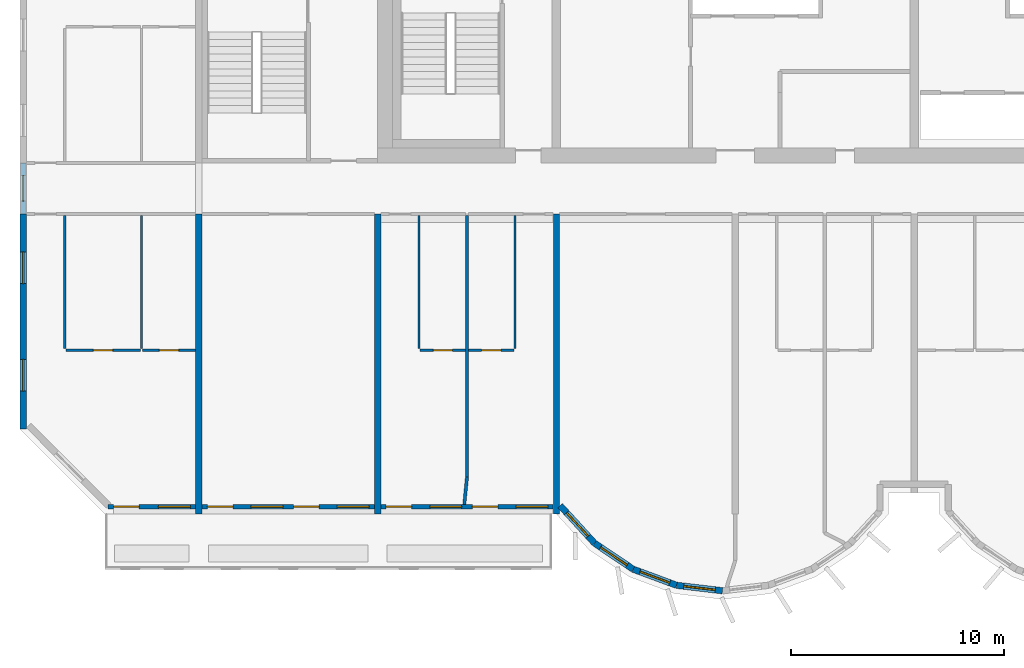
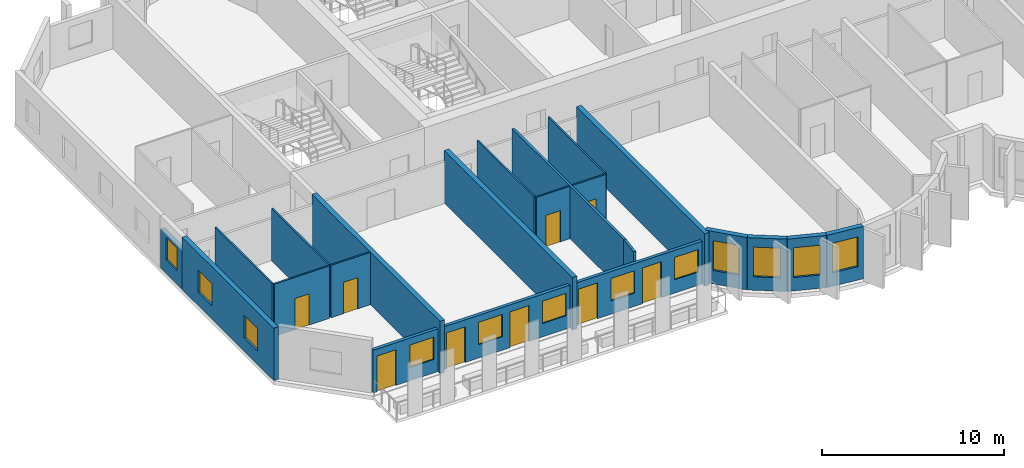
# One storey, part 2 of 13: 22 walls, 12 windows, 9 doors, 21 openings.
"""IFC4 building model written with IfcOpenShell, lengths in metres."""

from ifc_helpers import new_model, si_unit, direction, frame, frame_2d, origin, place, context, subcontext, project, spatial, rectangle, extrude, source, transform, mapped, material, layer, layer_set, type_object, element, fill, save


model = new_model("IFC4")

# Units and contexts
model_context = context("Model", 3, precision=1e-05, world=origin(), true_north=direction((0.0, 1.0)))
body_context = subcontext(model_context, "Body", "Model", "MODEL_VIEW")
ifc_project = project(units=[si_unit("LENGTHUNIT", "METRE"), si_unit("AREAUNIT", "SQUARE_METRE"), si_unit("VOLUMEUNIT", "CUBIC_METRE"), si_unit("PLANEANGLEUNIT", "RADIAN"), si_unit("MASSUNIT", "GRAM", prefix="KILO")], contexts=[model_context])

# Site, building, storey
site_placement = place(None, origin())
site = spatial("IfcSite", under=ifc_project, at=site_placement, CompositionType="ELEMENT")
building_placement = place(site_placement, origin())
building = spatial("IfcBuilding", under=site, at=building_placement, Name="Vanashikhar Sky Hotel", CompositionType="ELEMENT")
storey_placement = place(building_placement, frame((0.0, 0.0, 151.60009765625)))
storey = spatial("IfcBuildingStorey", under=building, at=storey_placement, Name="L36", CompositionType="ELEMENT", Elevation=151.60009765625)

# Wall, openings, windows
ifc_material_1 = material(Name="Concrete M60", Category="concrete")
ifc_layer_1 = layer(ifc_material_1, 0.300048828125)
ifc_layer_set_1 = layer_set([ifc_layer_1], Name="RC shear wall 300 Concrete M60")
wall_type_1 = type_object("IfcWallType", Name="RC shear wall 300 Concrete M60", PredefinedType="SHEAR", material=ifc_layer_set_1)
shared_shape_1 = source(origin(), body_context, "Body", "SweptSolid", [
    extrude(rectangle(XDim=10.10009765625, YDim=0.300048828125, at=frame_2d((5.050048828125, 0.0))), origin(), (0.0, 0.0, 1.0), 3.52001953125),
])
wall_1_placement = place(storey_placement, frame((8.550048828125, 9.5, 0.0), z_axis=(0.0, 0.0, 1.0), x_axis=(0.0, 1.0, 0.0)))
wall_1 = element("IfcWall", 1, at=wall_1_placement, inside=storey, type_object=wall_type_1, Name="CW-L36-XW02-1", PredefinedType="SHEAR", context=body_context, shape_type="MappedRepresentation", body=[
    mapped(shared_shape_1, transform((0.0, 0.0, 0.0), scale=1.0)),
])
shared_shape_2 = source(origin(), body_context, "Body", "SweptSolid", [
    extrude(rectangle(XDim=1.5, YDim=1.5, at=frame_2d((0.75, 0.75))), frame((0.0, 0.16015625, 0.0), z_axis=(0.0, -1.0, 0.0), x_axis=(1.0, 0.0, 0.0)), (0.0, 0.0, 1.0), 0.320068359375),
])
opening_1_placement = place(wall_1_placement, frame((1.77490234375, 0.0, 0.89990234375)))
opening_1 = element("IfcOpeningElement", 2, at=opening_1_placement, cuts=wall_1, Name="Opening WN-1", PredefinedType="OPENING", context=body_context, shape_type="MappedRepresentation", body=[
    mapped(shared_shape_2, transform((0.0, 0.0, 0.0), scale=1.0)),
])
opening_2_placement = place(wall_1_placement, frame((6.824951171875, 0.0, 0.89990234375)))
opening_2 = element("IfcOpeningElement", 3, at=opening_2_placement, cuts=wall_1, Name="Opening WN-1", PredefinedType="OPENING", context=body_context, shape_type="MappedRepresentation", body=[
    mapped(shared_shape_2, transform((0.0, 0.0, 0.0), scale=1.0)),
])
ifc_material_2 = material(Name="Glass", Category="glass")
window_type_1 = type_object("IfcWindowType", Name="Window 1500 x 1500", PartitioningType="SINGLE_PANEL", PredefinedType="WINDOW", material=ifc_material_2)
shared_shape_3 = source(origin(), body_context, "Body", "SweptSolid", [
    extrude(rectangle(XDim=1.5, YDim=1.5, at=frame_2d((0.75, 0.75))), frame((0.0, 0.030029296875, 0.0), z_axis=(0.0, -1.0, 0.0), x_axis=(1.0, 0.0, 0.0)), (0.0, 0.0, 1.0), 0.06005859375),
])
window_1_placement = place(opening_1_placement, origin())
window_1 = element("IfcWindow", 4, at=window_1_placement, inside=storey, type_object=window_type_1, Name="Window WN-1", OverallHeight=1.5, OverallWidth=1.5, PartitioningType="SINGLE_PANEL", PredefinedType="WINDOW", context=body_context, shape_type="MappedRepresentation", body=[
    mapped(shared_shape_3, transform((0.0, 0.0, 0.0), scale=1.0)),
])
fill(opening_1, window_1)
window_2_placement = place(opening_2_placement, origin())
window_2 = element("IfcWindow", 5, at=window_2_placement, inside=storey, type_object=window_type_1, Name="Window WN-1", OverallHeight=1.5, OverallWidth=1.5, PartitioningType="SINGLE_PANEL", PredefinedType="WINDOW", context=body_context, shape_type="MappedRepresentation", body=[
    mapped(shared_shape_3, transform((0.0, 0.0, 0.0), scale=1.0)),
])
fill(opening_2, window_2)

# Walls
shared_shape_4 = source(origin(), body_context, "Body", "SweptSolid", [
    extrude(rectangle(XDim=14.10009765625, YDim=0.300048828125, at=frame_2d((7.050048828125, 0.0))), origin(), (0.0, 0.0, 1.0), 3.52001953125),
])
for number, where, z_axis, x_axis, name in (
    (6, (16.800048828125, 5.5, 0.0), (0.0, 0.0, 1.0), (0.0, 1.0, 0.0), "CW-L36-XW03-1"),
    (7, (25.199951171875, 5.5, 0.0), (0.0, 0.0, 1.0), (0.0, 1.0, 0.0), "CW-L36-XW04-1"),
    (8, (33.60009765625, 5.5, 0.0), (0.0, 0.0, 1.0), (0.0, 1.0, 0.0), "CW-L36-XW05-1"),
):
    element("IfcWall", number, at=place(storey_placement, frame(where, z_axis=z_axis, x_axis=x_axis)), inside=storey, type_object=wall_type_1, Name=name, PredefinedType="SHEAR", context=body_context, shape_type="MappedRepresentation", body=[
        mapped(shared_shape_4, transform((0.0, 0.0, 0.0), scale=1.0)),
    ])

# Wall, opening, window
ifc_material_3 = material(Name="Concrete M50", Category="concrete")
ifc_layer_2 = layer(ifc_material_3, 0.300048828125)
ifc_layer_set_2 = layer_set([ifc_layer_2], Name="Lobe wall 300")
wall_type_2 = type_object("IfcWallType", Name="Lobe wall 300", PredefinedType="SOLIDWALL", material=ifc_layer_set_2)
shared_shape_5 = source(origin(), body_context, "Body", "SweptSolid", [
    extrude(rectangle(XDim=2.398193359375, YDim=0.300048828125, at=frame_2d((1.19921875, 0.0))), origin(), (0.0, 0.0, 1.0), 3.52001953125),
])
wall_2_placement = place(storey_placement, frame((33.776123046875, 5.89990234375, 0.0), z_axis=(0.0, 0.0, 1.0), x_axis=(0.675374189419, -0.737475222815, 0.0)))
wall_2 = element("IfcWall", 9, at=wall_2_placement, inside=storey, type_object=wall_type_2, Name="Lobe wall", PredefinedType="SOLIDWALL", context=body_context, shape_type="MappedRepresentation", body=[
    mapped(shared_shape_5, transform((0.0, 0.0, 0.0), scale=1.0)),
])
shared_shape_6 = source(origin(), body_context, "Body", "SweptSolid", [
    extrude(rectangle(XDim=1.5, YDim=2.0, at=frame_2d((0.75, 1.0))), frame((0.0, 0.16015625, 0.0), z_axis=(0.0, -1.0, 0.0), x_axis=(1.0, 0.0, 0.0)), (0.0, 0.0, 1.0), 0.320068359375),
])
opening_3_placement = place(wall_2_placement, frame((0.44921875, 0.0, 0.89990234375)))
opening_3 = element("IfcOpeningElement", 10, at=opening_3_placement, cuts=wall_2, Name="Opening WN-2", PredefinedType="OPENING", context=body_context, shape_type="MappedRepresentation", body=[
    mapped(shared_shape_6, transform((0.0, 0.0, 0.0), scale=1.0)),
])
window_type_2 = type_object("IfcWindowType", Name="Lobe window 1500 x 2000", PartitioningType="SINGLE_PANEL", PredefinedType="WINDOW", material=ifc_material_2)
shared_shape_7 = source(origin(), body_context, "Body", "SweptSolid", [
    extrude(rectangle(XDim=1.5, YDim=2.0, at=frame_2d((0.75, 1.0))), frame((0.0, 0.030029296875, 0.0), z_axis=(0.0, -1.0, 0.0), x_axis=(1.0, 0.0, 0.0)), (0.0, 0.0, 1.0), 0.06005859375),
])
window_3_placement = place(opening_3_placement, origin())
window_3 = element("IfcWindow", 11, at=window_3_placement, inside=storey, type_object=window_type_2, Name="Window WN-2", OverallHeight=2.0, OverallWidth=1.5, PartitioningType="SINGLE_PANEL", PredefinedType="WINDOW", context=body_context, shape_type="MappedRepresentation", body=[
    mapped(shared_shape_7, transform((0.0, 0.0, 0.0), scale=1.0)),
])
fill(opening_3, window_3)

shared_shape_8 = source(origin(), body_context, "Body", "SweptSolid", [
    extrude(rectangle(XDim=2.17578125, YDim=0.300048828125, at=frame_2d((1.087890625, 0.0))), origin(), (0.0, 0.0, 1.0), 3.52001953125),
])
wall_3_placement = place(storey_placement, frame((35.395751953125, 4.13134765625, 0.0), z_axis=(0.0, 0.0, 1.0), x_axis=(0.829590746428, -0.558371913192, 0.0)))
wall_3 = element("IfcWall", 12, at=wall_3_placement, inside=storey, type_object=wall_type_2, Name="Lobe wall", PredefinedType="SOLIDWALL", context=body_context, shape_type="MappedRepresentation", body=[
    mapped(shared_shape_8, transform((0.0, 0.0, 0.0), scale=1.0)),
])
opening_4_placement = place(wall_3_placement, frame((0.337890625, 0.0, 0.89990234375)))
opening_4 = element("IfcOpeningElement", 13, at=opening_4_placement, cuts=wall_3, Name="Opening WN-2", PredefinedType="OPENING", context=body_context, shape_type="MappedRepresentation", body=[
    mapped(shared_shape_6, transform((0.0, 0.0, 0.0), scale=1.0)),
])
window_4_placement = place(opening_4_placement, origin())
window_4 = element("IfcWindow", 14, at=window_4_placement, inside=storey, type_object=window_type_2, Name="Window WN-2", OverallHeight=2.0, OverallWidth=1.5, PartitioningType="SINGLE_PANEL", PredefinedType="WINDOW", context=body_context, shape_type="MappedRepresentation", body=[
    mapped(shared_shape_7, transform((0.0, 0.0, 0.0), scale=1.0)),
])
fill(opening_4, window_4)

wall_4_placement = place(storey_placement, frame((37.20068359375, 2.91650390625, 0.0), z_axis=(0.0, 0.0, 1.0), x_axis=(0.93754555999, -0.347862505801, 0.0)))
wall_4 = element("IfcWall", 15, at=wall_4_placement, inside=storey, type_object=wall_type_2, Name="Lobe wall", PredefinedType="SOLIDWALL", context=body_context, shape_type="MappedRepresentation", body=[
    mapped(shared_shape_8, transform((0.0, 0.0, 0.0), scale=1.0)),
])
opening_5_placement = place(wall_4_placement, frame((0.337890625, 0.0, 0.89990234375)))
opening_5 = element("IfcOpeningElement", 16, at=opening_5_placement, cuts=wall_4, Name="Opening WN-2", PredefinedType="OPENING", context=body_context, shape_type="MappedRepresentation", body=[
    mapped(shared_shape_6, transform((0.0, 0.0, 0.0), scale=1.0)),
])
window_5_placement = place(opening_5_placement, origin())
window_5 = element("IfcWindow", 17, at=window_5_placement, inside=storey, type_object=window_type_2, Name="Window WN-2", OverallHeight=2.0, OverallWidth=1.5, PartitioningType="SINGLE_PANEL", PredefinedType="WINDOW", context=body_context, shape_type="MappedRepresentation", body=[
    mapped(shared_shape_7, transform((0.0, 0.0, 0.0), scale=1.0)),
])
fill(opening_5, window_5)

shared_shape_9 = source(origin(), body_context, "Body", "SweptSolid", [
    extrude(rectangle(XDim=2.174560546875, YDim=0.300048828125, at=frame_2d((1.08740234375, 0.0))), origin(), (0.0, 0.0, 1.0), 3.52001953125),
])
wall_5_placement = place(storey_placement, frame((39.240478515625, 2.15966796875, 0.0), z_axis=(0.0, 0.0, 1.0), x_axis=(0.993001132889, -0.118104826659, 0.0)))
wall_5 = element("IfcWall", 18, at=wall_5_placement, inside=storey, type_object=wall_type_2, Name="Lobe wall", PredefinedType="SOLIDWALL", context=body_context, shape_type="MappedRepresentation", body=[
    mapped(shared_shape_9, transform((0.0, 0.0, 0.0), scale=1.0)),
])
opening_6_placement = place(wall_5_placement, frame((0.33740234375, 0.0, 0.89990234375)))
opening_6 = element("IfcOpeningElement", 19, at=opening_6_placement, cuts=wall_5, Name="Opening WN-2", PredefinedType="OPENING", context=body_context, shape_type="MappedRepresentation", body=[
    mapped(shared_shape_6, transform((0.0, 0.0, 0.0), scale=1.0)),
])
window_6_placement = place(opening_6_placement, origin())
window_6 = element("IfcWindow", 20, at=window_6_placement, inside=storey, type_object=window_type_2, Name="Window WN-2", OverallHeight=2.0, OverallWidth=1.5, PartitioningType="SINGLE_PANEL", PredefinedType="WINDOW", context=body_context, shape_type="MappedRepresentation", body=[
    mapped(shared_shape_7, transform((0.0, 0.0, 0.0), scale=1.0)),
])
fill(opening_6, window_6)

ifc_layer_3 = layer(ifc_material_3, 0.25)
ifc_layer_set_3 = layer_set([ifc_layer_3], Name="Rear and end board-marked wall 250")
wall_type_3 = type_object("IfcWallType", Name="Rear and end board-marked wall 250", PredefinedType="SOLIDWALL", material=ifc_layer_set_3)
shared_shape_10 = source(origin(), body_context, "Body", "SweptSolid", [
    extrude(rectangle(XDim=2.39990234375, YDim=0.25, at=frame_2d((1.199951171875, 0.0))), origin(), (0.0, 0.0, 1.0), 2.619873046875),
])
wall_6_placement = place(storey_placement, frame((8.550048828125, 19.60009765625, 0.0), z_axis=(0.0, 0.0, 1.0), x_axis=(0.0, 1.0, 0.0)))
wall_6 = element("IfcWall", 21, at=wall_6_placement, inside=storey, type_object=wall_type_3, Name="End corridor infill wall", PredefinedType="SOLIDWALL", context=body_context, shape_type="MappedRepresentation", body=[
    mapped(shared_shape_10, transform((0.0, 0.0, 0.0), scale=1.0)),
])
shared_shape_11 = source(origin(), body_context, "Body", "SweptSolid", [
    extrude(rectangle(XDim=1.199951171875, YDim=1.5, at=frame_2d((0.60009765625, 0.75))), frame((0.0, 0.135009765625, 0.0), z_axis=(0.0, -1.0, 0.0), x_axis=(1.0, 0.0, 0.0)), (0.0, 0.0, 1.0), 0.27001953125),
])
opening_7_placement = place(wall_6_placement, frame((0.60009765625, 0.0, 0.89990234375)))
opening_7 = element("IfcOpeningElement", 22, at=opening_7_placement, cuts=wall_6, Name="Opening WN-3", PredefinedType="OPENING", context=body_context, shape_type="MappedRepresentation", body=[
    mapped(shared_shape_11, transform((0.0, 0.0, 0.0), scale=1.0)),
])
window_type_3 = type_object("IfcWindowType", Name="Corridor end window 1200 x 1500", PartitioningType="SINGLE_PANEL", PredefinedType="WINDOW", material=ifc_material_2)
shared_shape_12 = source(origin(), body_context, "Body", "SweptSolid", [
    extrude(rectangle(XDim=1.199951171875, YDim=1.5, at=frame_2d((0.60009765625, 0.75))), frame((0.0, 0.030029296875, 0.0), z_axis=(0.0, -1.0, 0.0), x_axis=(1.0, 0.0, 0.0)), (0.0, 0.0, 1.0), 0.06005859375),
])
window_7_placement = place(opening_7_placement, origin())
window_7 = element("IfcWindow", 23, at=window_7_placement, inside=storey, type_object=window_type_3, Name="Window WN-3", OverallHeight=1.5, OverallWidth=1.199951171875, PartitioningType="SINGLE_PANEL", PredefinedType="WINDOW", context=body_context, shape_type="MappedRepresentation", body=[
    mapped(shared_shape_12, transform((0.0, 0.0, 0.0), scale=1.0)),
])
fill(opening_7, window_7)

# Wall, openings, window, door
ifc_layer_4 = layer(ifc_material_3, 0.199951171875)
ifc_layer_set_4 = layer_set([ifc_layer_4], Name="Front window wall 200")
wall_type_4 = type_object("IfcWallType", Name="Front window wall 200", PredefinedType="SOLIDWALL", material=ifc_layer_set_4)
shared_shape_13 = source(origin(), body_context, "Body", "SweptSolid", [
    extrude(rectangle(XDim=4.10498046875, YDim=0.199951171875, at=frame_2d((2.052490234375, 0.0))), origin(), (0.0, 0.0, 1.0), 2.869873046875),
])
wall_7_placement = place(storey_placement, frame((12.544921875, 5.85009765625, 0.0), z_axis=(0.0, 0.0, 1.0), x_axis=(1.0, 0.0, 0.0)))
wall_7 = element("IfcWall", 24, at=wall_7_placement, inside=storey, type_object=wall_type_4, Name="Front window wall", PredefinedType="SOLIDWALL", context=body_context, shape_type="MappedRepresentation", body=[
    mapped(shared_shape_13, transform((0.0, 0.0, 0.0), scale=1.0)),
])
shared_shape_14 = source(origin(), body_context, "Body", "SweptSolid", [
    extrude(rectangle(XDim=1.199951171875, YDim=2.39990234375, at=frame_2d((0.60009765625, 1.199951171875))), frame((0.0, 0.10986328125, 0.0), z_axis=(0.0, -1.0, 0.0), x_axis=(1.0, 0.0, 0.0)), (0.0, 0.0, 1.0), 0.219970703125),
])
opening_8_placement = place(wall_7_placement, frame((0.25, 0.0, 0.0)))
opening_8 = element("IfcOpeningElement", 25, at=opening_8_placement, cuts=wall_7, Name="Opening BD-01", PredefinedType="OPENING", context=body_context, shape_type="MappedRepresentation", body=[
    mapped(shared_shape_14, transform((0.0, 0.0, 0.0), scale=1.0)),
])
shared_shape_15 = source(origin(), body_context, "Body", "SweptSolid", [
    extrude(rectangle(XDim=1.5, YDim=1.5, at=frame_2d((0.75, 0.75))), frame((0.0, 0.10986328125, 0.0), z_axis=(0.0, -1.0, 0.0), x_axis=(1.0, 0.0, 0.0)), (0.0, 0.0, 1.0), 0.219970703125),
])
opening_9_placement = place(wall_7_placement, frame((2.35498046875, 0.0, 0.89990234375)))
opening_9 = element("IfcOpeningElement", 26, at=opening_9_placement, cuts=wall_7, Name="Opening WN-1", PredefinedType="OPENING", context=body_context, shape_type="MappedRepresentation", body=[
    mapped(shared_shape_15, transform((0.0, 0.0, 0.0), scale=1.0)),
])
window_8_placement = place(opening_9_placement, origin())
window_8 = element("IfcWindow", 27, at=window_8_placement, inside=storey, type_object=window_type_1, Name="Window WN-1", OverallHeight=1.5, OverallWidth=1.5, PartitioningType="SINGLE_PANEL", PredefinedType="WINDOW", context=body_context, shape_type="MappedRepresentation", body=[
    mapped(shared_shape_3, transform((0.0, 0.0, 0.0), scale=1.0)),
])
fill(opening_9, window_8)
ifc_material_4 = material(Name="Aluminium", Category="aluminium")
door_type_1 = type_object("IfcDoorType", Name="Balcony sliding door 1200 x 2400", OperationType="NOTDEFINED", PredefinedType="DOOR", material=ifc_material_4)
shared_shape_16 = source(origin(), body_context, "Body", "SweptSolid", [
    extrude(rectangle(XDim=1.199951171875, YDim=2.39990234375, at=frame_2d((0.60009765625, 1.199951171875))), frame((0.0, 0.02490234375, 0.0), z_axis=(0.0, -1.0, 0.0), x_axis=(1.0, 0.0, 0.0)), (0.0, 0.0, 1.0), 0.050048828125),
])
door_1_placement = place(opening_8_placement, origin())
door_1 = element("IfcDoor", 28, at=door_1_placement, inside=storey, type_object=door_type_1, Name="Balcony sliding door", OperationType="SLIDING_TO_LEFT", OverallHeight=2.39990234375, OverallWidth=1.199951171875, PredefinedType="DOOR", context=body_context, shape_type="MappedRepresentation", body=[
    mapped(shared_shape_16, transform((0.0, 0.0, 0.0), scale=1.0)),
])
fill(opening_8, door_1)

# Wall, openings, windows, doors
shared_shape_17 = source(origin(), body_context, "Body", "SweptSolid", [
    extrude(rectangle(XDim=8.10009765625, YDim=0.199951171875, at=frame_2d((4.050048828125, 0.0))), origin(), (0.0, 0.0, 1.0), 2.869873046875),
])
wall_8_placement = place(storey_placement, frame((16.949951171875, 5.85009765625, 0.0), z_axis=(0.0, 0.0, 1.0), x_axis=(1.0, 0.0, 0.0)))
wall_8 = element("IfcWall", 29, at=wall_8_placement, inside=storey, type_object=wall_type_4, Name="Front window wall", PredefinedType="SOLIDWALL", context=body_context, shape_type="MappedRepresentation", body=[
    mapped(shared_shape_17, transform((0.0, 0.0, 0.0), scale=1.0)),
])
opening_10_placement = place(wall_8_placement, frame((0.25, 0.0, 0.0)))
opening_10 = element("IfcOpeningElement", 30, at=opening_10_placement, cuts=wall_8, Name="Opening BD-02", PredefinedType="OPENING", context=body_context, shape_type="MappedRepresentation", body=[
    mapped(shared_shape_14, transform((0.0, 0.0, 0.0), scale=1.0)),
])
opening_11_placement = place(wall_8_placement, frame((2.300048828125, 0.0, 0.89990234375)))
opening_11 = element("IfcOpeningElement", 31, at=opening_11_placement, cuts=wall_8, Name="Opening WN-1", PredefinedType="OPENING", context=body_context, shape_type="MappedRepresentation", body=[
    mapped(shared_shape_15, transform((0.0, 0.0, 0.0), scale=1.0)),
])
opening_12_placement = place(wall_8_placement, frame((4.300048828125, 0.0, 0.0)))
opening_12 = element("IfcOpeningElement", 32, at=opening_12_placement, cuts=wall_8, Name="Opening BD-03", PredefinedType="OPENING", context=body_context, shape_type="MappedRepresentation", body=[
    mapped(shared_shape_14, transform((0.0, 0.0, 0.0), scale=1.0)),
])
opening_13_placement = place(wall_8_placement, frame((6.35009765625, 0.0, 0.89990234375)))
opening_13 = element("IfcOpeningElement", 33, at=opening_13_placement, cuts=wall_8, Name="Opening WN-1", PredefinedType="OPENING", context=body_context, shape_type="MappedRepresentation", body=[
    mapped(shared_shape_15, transform((0.0, 0.0, 0.0), scale=1.0)),
])
window_9_placement = place(opening_11_placement, origin())
window_9 = element("IfcWindow", 34, at=window_9_placement, inside=storey, type_object=window_type_1, Name="Window WN-1", OverallHeight=1.5, OverallWidth=1.5, PartitioningType="SINGLE_PANEL", PredefinedType="WINDOW", context=body_context, shape_type="MappedRepresentation", body=[
    mapped(shared_shape_3, transform((0.0, 0.0, 0.0), scale=1.0)),
])
fill(opening_11, window_9)
window_10_placement = place(opening_13_placement, origin())
window_10 = element("IfcWindow", 35, at=window_10_placement, inside=storey, type_object=window_type_1, Name="Window WN-1", OverallHeight=1.5, OverallWidth=1.5, PartitioningType="SINGLE_PANEL", PredefinedType="WINDOW", context=body_context, shape_type="MappedRepresentation", body=[
    mapped(shared_shape_3, transform((0.0, 0.0, 0.0), scale=1.0)),
])
fill(opening_13, window_10)
door_2_placement = place(opening_10_placement, origin())
door_2 = element("IfcDoor", 36, at=door_2_placement, inside=storey, type_object=door_type_1, Name="Balcony sliding door", OperationType="SLIDING_TO_RIGHT", OverallHeight=2.39990234375, OverallWidth=1.199951171875, PredefinedType="DOOR", context=body_context, shape_type="MappedRepresentation", body=[
    mapped(shared_shape_16, transform((0.0, 0.0, 0.0), scale=1.0)),
])
fill(opening_10, door_2)
door_3_placement = place(opening_12_placement, origin())
door_3 = element("IfcDoor", 37, at=door_3_placement, inside=storey, type_object=door_type_1, Name="Balcony sliding door", OperationType="SLIDING_TO_LEFT", OverallHeight=2.39990234375, OverallWidth=1.199951171875, PredefinedType="DOOR", context=body_context, shape_type="MappedRepresentation", body=[
    mapped(shared_shape_16, transform((0.0, 0.0, 0.0), scale=1.0)),
])
fill(opening_12, door_3)

shared_shape_18 = source(origin(), body_context, "Body", "SweptSolid", [
    extrude(rectangle(XDim=8.099853515625, YDim=0.199951171875, at=frame_2d((4.0498046875, 0.0))), origin(), (0.0, 0.0, 1.0), 2.869873046875),
])
wall_9_placement = place(storey_placement, frame((25.35009765625, 5.85009765625, 0.0), z_axis=(0.0, 0.0, 1.0), x_axis=(1.0, 0.0, 0.0)))
wall_9 = element("IfcWall", 38, at=wall_9_placement, inside=storey, type_object=wall_type_4, Name="Front window wall", PredefinedType="SOLIDWALL", context=body_context, shape_type="MappedRepresentation", body=[
    mapped(shared_shape_18, transform((0.0, 0.0, 0.0), scale=1.0)),
])
opening_14_placement = place(wall_9_placement, frame((0.25, 0.0, 0.0)))
opening_14 = element("IfcOpeningElement", 39, at=opening_14_placement, cuts=wall_9, Name="Opening BD-04", PredefinedType="OPENING", context=body_context, shape_type="MappedRepresentation", body=[
    mapped(shared_shape_14, transform((0.0, 0.0, 0.0), scale=1.0)),
])
opening_15_placement = place(wall_9_placement, frame((2.300048828125, 0.0, 0.89990234375)))
opening_15 = element("IfcOpeningElement", 40, at=opening_15_placement, cuts=wall_9, Name="Opening WN-1", PredefinedType="OPENING", context=body_context, shape_type="MappedRepresentation", body=[
    mapped(shared_shape_15, transform((0.0, 0.0, 0.0), scale=1.0)),
])
opening_16_placement = place(wall_9_placement, frame((4.300048828125, 0.0, 0.0)))
opening_16 = element("IfcOpeningElement", 41, at=opening_16_placement, cuts=wall_9, Name="Opening BD-05", PredefinedType="OPENING", context=body_context, shape_type="MappedRepresentation", body=[
    mapped(shared_shape_14, transform((0.0, 0.0, 0.0), scale=1.0)),
])
opening_17_placement = place(wall_9_placement, frame((6.35009765625, 0.0, 0.89990234375)))
opening_17 = element("IfcOpeningElement", 42, at=opening_17_placement, cuts=wall_9, Name="Opening WN-1", PredefinedType="OPENING", context=body_context, shape_type="MappedRepresentation", body=[
    mapped(shared_shape_15, transform((0.0, 0.0, 0.0), scale=1.0)),
])
window_11_placement = place(opening_15_placement, origin())
window_11 = element("IfcWindow", 43, at=window_11_placement, inside=storey, type_object=window_type_1, Name="Window WN-1", OverallHeight=1.5, OverallWidth=1.5, PartitioningType="SINGLE_PANEL", PredefinedType="WINDOW", context=body_context, shape_type="MappedRepresentation", body=[
    mapped(shared_shape_3, transform((0.0, 0.0, 0.0), scale=1.0)),
])
fill(opening_15, window_11)
window_12_placement = place(opening_17_placement, origin())
window_12 = element("IfcWindow", 44, at=window_12_placement, inside=storey, type_object=window_type_1, Name="Window WN-1", OverallHeight=1.5, OverallWidth=1.5, PartitioningType="SINGLE_PANEL", PredefinedType="WINDOW", context=body_context, shape_type="MappedRepresentation", body=[
    mapped(shared_shape_3, transform((0.0, 0.0, 0.0), scale=1.0)),
])
fill(opening_17, window_12)
door_4_placement = place(opening_14_placement, origin())
door_4 = element("IfcDoor", 45, at=door_4_placement, inside=storey, type_object=door_type_1, Name="Balcony sliding door", OperationType="SLIDING_TO_RIGHT", OverallHeight=2.39990234375, OverallWidth=1.199951171875, PredefinedType="DOOR", context=body_context, shape_type="MappedRepresentation", body=[
    mapped(shared_shape_16, transform((0.0, 0.0, 0.0), scale=1.0)),
])
fill(opening_14, door_4)
door_5_placement = place(opening_16_placement, origin())
door_5 = element("IfcDoor", 46, at=door_5_placement, inside=storey, type_object=door_type_1, Name="Balcony sliding door", OperationType="SLIDING_TO_LEFT", OverallHeight=2.39990234375, OverallWidth=1.199951171875, PredefinedType="DOOR", context=body_context, shape_type="MappedRepresentation", body=[
    mapped(shared_shape_16, transform((0.0, 0.0, 0.0), scale=1.0)),
])
fill(opening_16, door_5)

# Wall, opening, door
ifc_material_5 = material(Name="Gypsum plasterboard partition")
ifc_layer_5 = layer(ifc_material_5, 0.10009765625)
ifc_layer_set_5 = layer_set([ifc_layer_5], Name="Wet room partition 100")
wall_type_5 = type_object("IfcWallType", Name="Wet room partition 100", PredefinedType="PARTITIONING", material=ifc_layer_set_5)
shared_shape_19 = source(origin(), body_context, "Body", "SweptSolid", [
    extrude(rectangle(XDim=3.5, YDim=0.10009765625, at=frame_2d((1.75, 0.0))), origin(), (0.0, 0.0, 1.0), 3.52001953125),
])
wall_10_placement = place(storey_placement, frame((10.550048828125, 13.199951171875, 0.0), z_axis=(0.0, 0.0, 1.0), x_axis=(1.0, 0.0, 0.0)))
wall_10 = element("IfcWall", 47, at=wall_10_placement, inside=storey, type_object=wall_type_5, Name="W-L36-PW003", PredefinedType="PARTITIONING", context=body_context, shape_type="MappedRepresentation", body=[
    mapped(shared_shape_19, transform((0.0, 0.0, 0.0), scale=1.0)),
])
shared_shape_20 = source(origin(), body_context, "Body", "SweptSolid", [
    extrude(rectangle(XDim=0.89990234375, YDim=2.10009765625, at=frame_2d((0.449951171875, 1.050048828125))), frame((0.0, 0.06005859375, 0.0), z_axis=(0.0, -1.0, 0.0), x_axis=(1.0, 0.0, 0.0)), (0.0, 0.0, 1.0), 0.1201171875),
])
opening_18_placement = place(wall_10_placement, frame((1.300048828125, 0.0, 0.0)))
opening_18 = element("IfcOpeningElement", 48, at=opening_18_placement, cuts=wall_10, Name="Opening D-02", PredefinedType="OPENING", context=body_context, shape_type="MappedRepresentation", body=[
    mapped(shared_shape_20, transform((0.0, 0.0, 0.0), scale=1.0)),
])
ifc_material_6 = material(Name="Timber door", Category="wood")
door_type_2 = type_object("IfcDoorType", Name="Internal door 900", OperationType="NOTDEFINED", PredefinedType="DOOR", material=ifc_material_6)
shared_shape_21 = source(origin(), body_context, "Body", "SweptSolid", [
    extrude(rectangle(XDim=0.89990234375, YDim=2.10009765625, at=frame_2d((0.449951171875, 1.050048828125))), frame((0.0, 0.02490234375, 0.0), z_axis=(0.0, -1.0, 0.0), x_axis=(1.0, 0.0, 0.0)), (0.0, 0.0, 1.0), 0.050048828125),
])
door_6_placement = place(opening_18_placement, origin())
door_6 = element("IfcDoor", 49, at=door_6_placement, inside=storey, type_object=door_type_2, Name="D-L36-001", OperationType="SINGLE_SWING_LEFT", OverallHeight=2.10009765625, OverallWidth=0.89990234375, PredefinedType="DOOR", context=body_context, shape_type="MappedRepresentation", body=[
    mapped(shared_shape_21, transform((0.0, 0.0, 0.0), scale=1.0)),
])
fill(opening_18, door_6)

# Walls
shared_shape_22 = source(origin(), body_context, "Body", "SweptSolid", [
    extrude(rectangle(XDim=6.25, YDim=0.10009765625, at=frame_2d((3.125, 0.0))), origin(), (0.0, 0.0, 1.0), 3.52001953125),
])
for number, where, z_axis, x_axis, name in (
    (50, (10.5, 13.27490234375, 0.0), (0.0, 0.0, 1.0), (0.0, 1.0, 0.0), "W-L36-PW001"),
    (51, (14.10009765625, 13.27490234375, 0.0), (0.0, 0.0, 1.0), (0.0, 1.0, 0.0), "W-L36-PW002"),
    (52, (27.14990234375, 13.27490234375, 0.0), (0.0, 0.0, 1.0), (0.0, 1.0, 0.0), "W-L36-PW007"),
    (53, (31.64990234375, 13.27490234375, 0.0), (0.0, 0.0, 1.0), (0.0, 1.0, 0.0), "W-L36-PW010"),
):
    element("IfcWall", number, at=place(storey_placement, frame(where, z_axis=z_axis, x_axis=x_axis)), inside=storey, type_object=wall_type_5, Name=name, PredefinedType="PARTITIONING", context=body_context, shape_type="MappedRepresentation", body=[
        mapped(shared_shape_22, transform((0.0, 0.0, 0.0), scale=1.0)),
    ])

# Wall, opening, door
shared_shape_23 = source(origin(), body_context, "Body", "SweptSolid", [
    extrude(rectangle(XDim=2.5, YDim=0.10009765625, at=frame_2d((1.25, 0.0))), origin(), (0.0, 0.0, 1.0), 3.52001953125),
])
wall_11_placement = place(storey_placement, frame((14.14990234375, 13.199951171875, 0.0), z_axis=(0.0, 0.0, 1.0), x_axis=(1.0, 0.0, 0.0)))
wall_11 = element("IfcWall", 54, at=wall_11_placement, inside=storey, type_object=wall_type_5, Name="W-L36-PW004", PredefinedType="PARTITIONING", context=body_context, shape_type="MappedRepresentation", body=[
    mapped(shared_shape_23, transform((0.0, 0.0, 0.0), scale=1.0)),
])
opening_19_placement = place(wall_11_placement, frame((0.800048828125, 0.0, 0.0)))
opening_19 = element("IfcOpeningElement", 55, at=opening_19_placement, cuts=wall_11, Name="Opening D-02", PredefinedType="OPENING", context=body_context, shape_type="MappedRepresentation", body=[
    mapped(shared_shape_20, transform((0.0, 0.0, 0.0), scale=1.0)),
])
door_7_placement = place(opening_19_placement, origin())
door_7 = element("IfcDoor", 56, at=door_7_placement, inside=storey, type_object=door_type_2, Name="D-L36-002", OperationType="SINGLE_SWING_LEFT", OverallHeight=2.10009765625, OverallWidth=0.89990234375, PredefinedType="DOOR", context=body_context, shape_type="MappedRepresentation", body=[
    mapped(shared_shape_21, transform((0.0, 0.0, 0.0), scale=1.0)),
])
fill(opening_19, door_7)

# Walls
ifc_layer_6 = layer(ifc_material_5, 0.14990234375)
ifc_layer_set_6 = layer_set([ifc_layer_6], Name="Corridor and demising partition 150")
wall_type_6 = type_object("IfcWallType", Name="Corridor and demising partition 150", PredefinedType="PARTITIONING", material=ifc_layer_set_6)
shared_shape_24 = source(origin(), body_context, "Body", "SweptSolid", [
    extrude(rectangle(XDim=12.27490234375, YDim=0.14990234375, at=frame_2d((6.137451171875, 0.0))), origin(), (0.0, 0.0, 1.0), 3.52001953125),
])
wall_12_placement = place(storey_placement, frame((29.39990234375, 7.25, 0.0), z_axis=(0.0, 0.0, 1.0), x_axis=(0.0, 1.0, 0.0)))
element("IfcWall", 57, at=wall_12_placement, inside=storey, type_object=wall_type_6, Name="W-L36-PW013", PredefinedType="PARTITIONING", context=body_context, shape_type="MappedRepresentation", body=[
    mapped(shared_shape_24, transform((0.0, 0.0, 0.0), scale=1.0)),
])
shared_shape_25 = source(origin(), body_context, "Body", "SweptSolid", [
    extrude(rectangle(XDim=1.306640625, YDim=0.14990234375, at=frame_2d((0.6533203125, 0.0))), origin(), (0.0, 0.0, 1.0), 3.52001953125),
])
wall_13_placement = place(storey_placement, frame((29.27001953125, 5.949951171875, 0.0), z_axis=(0.0, 0.0, 1.0), x_axis=(0.099411212066, 0.995046436562, 0.0)))
element("IfcWall", 58, at=wall_13_placement, inside=storey, type_object=wall_type_6, Name="W-L36-PW013B0", PredefinedType="PARTITIONING", context=body_context, shape_type="MappedRepresentation", body=[
    mapped(shared_shape_25, transform((0.0, 0.0, 0.0), scale=1.0)),
])

# Wall, opening, door
shared_shape_26 = source(origin(), body_context, "Body", "SweptSolid", [
    extrude(rectangle(XDim=2.125, YDim=0.10009765625, at=frame_2d((1.0625, 0.0))), origin(), (0.0, 0.0, 1.0), 3.52001953125),
])
wall_14_placement = place(storey_placement, frame((27.199951171875, 13.199951171875, 0.0), z_axis=(0.0, 0.0, 1.0), x_axis=(1.0, 0.0, 0.0)))
wall_14 = element("IfcWall", 59, at=wall_14_placement, inside=storey, type_object=wall_type_5, Name="W-L36-PW008", PredefinedType="PARTITIONING", context=body_context, shape_type="MappedRepresentation", body=[
    mapped(shared_shape_26, transform((0.0, 0.0, 0.0), scale=1.0)),
])
opening_20_placement = place(wall_14_placement, frame((0.613037109375, 0.0, 0.0)))
opening_20 = element("IfcOpeningElement", 60, at=opening_20_placement, cuts=wall_14, Name="Opening D-02", PredefinedType="OPENING", context=body_context, shape_type="MappedRepresentation", body=[
    mapped(shared_shape_20, transform((0.0, 0.0, 0.0), scale=1.0)),
])
door_8_placement = place(opening_20_placement, origin())
door_8 = element("IfcDoor", 61, at=door_8_placement, inside=storey, type_object=door_type_2, Name="D-L36-005", OperationType="SINGLE_SWING_LEFT", OverallHeight=2.10009765625, OverallWidth=0.89990234375, PredefinedType="DOOR", context=body_context, shape_type="MappedRepresentation", body=[
    mapped(shared_shape_21, transform((0.0, 0.0, 0.0), scale=1.0)),
])
fill(opening_20, door_8)

wall_15_placement = place(storey_placement, frame((29.47509765625, 13.199951171875, 0.0), z_axis=(0.0, 0.0, 1.0), x_axis=(1.0, 0.0, 0.0)))
wall_15 = element("IfcWall", 62, at=wall_15_placement, inside=storey, type_object=wall_type_5, Name="W-L36-PW011", PredefinedType="PARTITIONING", context=body_context, shape_type="MappedRepresentation", body=[
    mapped(shared_shape_26, transform((0.0, 0.0, 0.0), scale=1.0)),
])
opening_21_placement = place(wall_15_placement, frame((0.613037109375, 0.0, 0.0)))
opening_21 = element("IfcOpeningElement", 63, at=opening_21_placement, cuts=wall_15, Name="Opening D-02", PredefinedType="OPENING", context=body_context, shape_type="MappedRepresentation", body=[
    mapped(shared_shape_20, transform((0.0, 0.0, 0.0), scale=1.0)),
])
door_9_placement = place(opening_21_placement, origin())
door_9 = element("IfcDoor", 64, at=door_9_placement, inside=storey, type_object=door_type_2, Name="D-L36-007", OperationType="SINGLE_SWING_RIGHT", OverallHeight=2.10009765625, OverallWidth=0.89990234375, PredefinedType="DOOR", context=body_context, shape_type="MappedRepresentation", body=[
    mapped(shared_shape_21, transform((0.0, 0.0, 0.0), scale=1.0)),
])
fill(opening_21, door_9)

save(model, "model.ifc")
